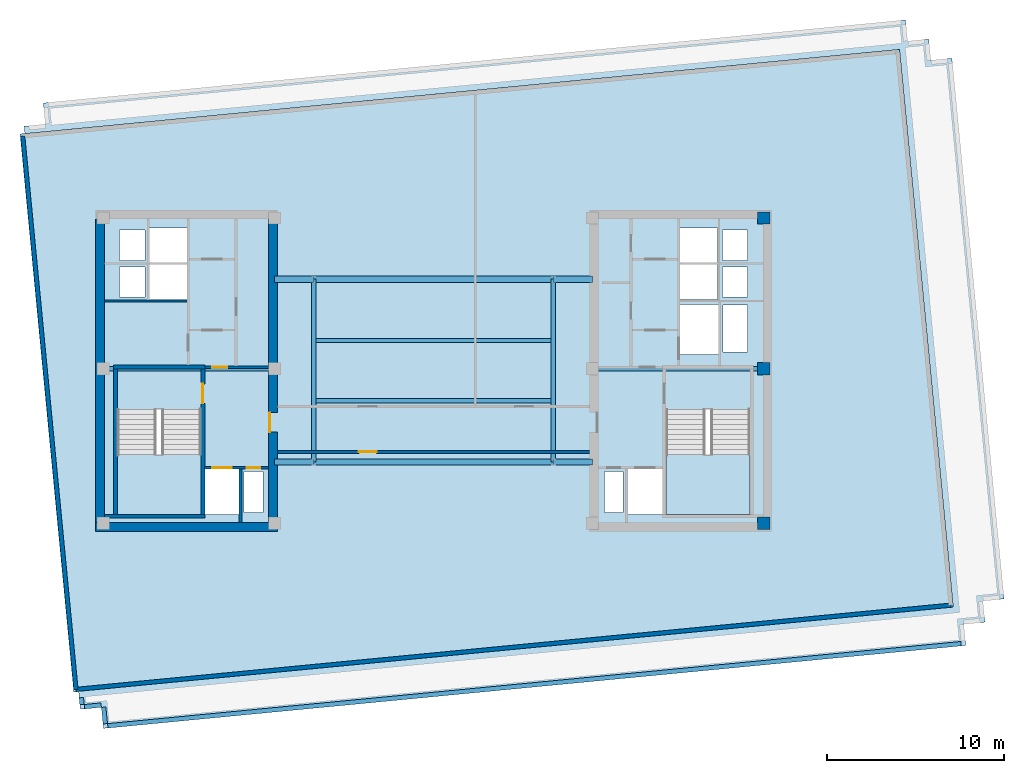
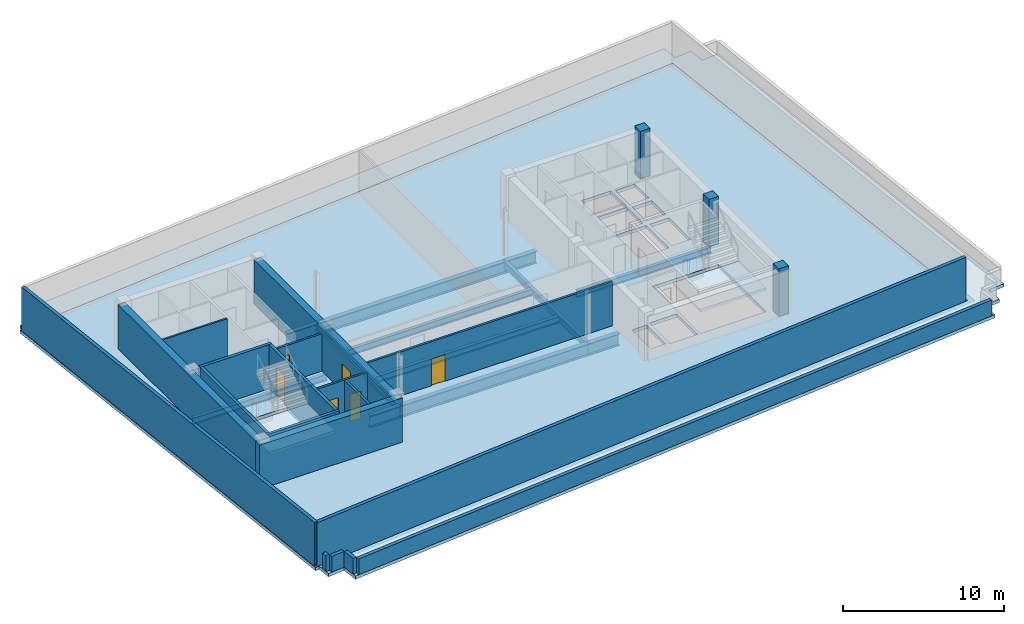
# One storey, part 2 of 8: 18 walls, 12 beams, 6 doors, 4 slabs, 3 columns, 6 openings, 2 elements without a shape of their own.
"""IFC4 building model written with IfcOpenShell, lengths in metres."""

from ifc_helpers import new_model, si_unit, direction, frame, frame_2d, origin, origin_2d, place, context, subcontext, project, spatial, polyline, rectangle, i_section, outline, extrude, material, layer, layer_set, material_profile, profile_set, type_object, element, fill, aggregate, save


model = new_model("IFC4")

# Units and contexts
model_context = context("Model", 3, precision=1e-05, world=origin(), true_north=direction((0.0, 1.0)))
body_context = subcontext(model_context, "Body", "Model", "MODEL_VIEW")
ifc_project = project(units=[si_unit("LENGTHUNIT", "METRE"), si_unit("AREAUNIT", "SQUARE_METRE"), si_unit("VOLUMEUNIT", "CUBIC_METRE"), si_unit("PLANEANGLEUNIT", "RADIAN"), si_unit("MASSUNIT", "GRAM", prefix="KILO")], contexts=[model_context])

# Site, building, storey
site_placement = place(None, origin())
site = spatial("IfcSite", under=ifc_project, at=site_placement, CompositionType="ELEMENT")
building_placement = place(site_placement, origin())
building = spatial("IfcBuilding", under=site, at=building_placement, Name="Velakula Bourse", CompositionType="ELEMENT")
storey_placement = place(building_placement, frame((0.0, 0.0, 286.949951171875)))
storey = spatial("IfcBuildingStorey", under=building, at=storey_placement, Name="L78", CompositionType="ELEMENT", Elevation=286.949951171875)

# Columns
ifc_material_1 = material(Name="Concrete M50 (fck 50 MPa)", Category="concrete")
ifc_material_profile_1 = material_profile(ifc_material_1, rectangle(XDim=0.699951171875, YDim=0.699951171875, at=origin_2d()), Name="Concrete M50 (fck 50 MPa)")
ifc_profile_set_1 = profile_set([ifc_material_profile_1], Name="Concrete M50 (fck 50 MPa)")
column_type = type_object("IfcColumnType", Name="COL-RC-700", PredefinedType="COLUMN", material=ifc_profile_set_1)
for number, where, z_axis, x_axis, name in (
    (1, (18.60009765625, -8.60009765625, 0.0), (0.0, 0.0, 1.0), (1.0, 0.0, 0.0), "L78 Core Boundary Column 10"),
    (2, (18.60009765625, 0.10009765625, 0.0), (0.0, 0.0, 1.0), (1.0, 0.0, 0.0), "L78 Core Boundary Column 11"),
    (3, (18.60009765625, 8.60009765625, 0.0), (0.0, 0.0, 1.0), (1.0, 0.0, 0.0), "L78 Core Boundary Column 12"),
):
    element("IfcColumn", number, at=place(storey_placement, frame(where, z_axis=z_axis, x_axis=x_axis)), inside=storey, type_object=column_type, Name=name, PredefinedType="COLUMN", context=body_context, shape_type="SweptSolid", body=[
        extrude(rectangle(XDim=0.699951171875, YDim=0.699951171875, at=origin_2d()), origin(), (0.0, 0.0, 1.0), 3.60009765625),
    ])

# Beams
ifc_material_2 = material(Name="Steel IS 2062 Grade 350 (E350)", Category="steel")
ifc_material_profile_2 = material_profile(ifc_material_2, i_section(OverallWidth=0.25, OverallDepth=0.5, WebThickness=0.010009765625, FlangeThickness=0.0146484375, at=origin_2d()), Name="Steel IS 2062 Grade 350 (E350)")
ifc_profile_set_2 = profile_set([ifc_material_profile_2], Name="Steel IS 2062 Grade 350 (E350)")
beam_type_1 = type_object("IfcBeamType", Name="BM-EDG-500", PredefinedType="BEAM", material=ifc_profile_set_2)
for number, where, z_axis, x_axis, name in (
    (4, (-18.60009765625, 0.10009765625, -0.5), (1.0, 0.0, 0.0), (0.0, 1.0, 0.0), "L78 Primary Backbone Girder CRW-M"),
    (5, (8.949951171875, 0.10009765625, -0.5), (1.0, 0.0, 0.0), (0.0, 1.0, 0.0), "L78 Primary Backbone Girder CRE-M"),
):
    element("IfcBeam", number, at=place(storey_placement, frame(where, z_axis=z_axis, x_axis=x_axis)), inside=storey, type_object=beam_type_1, Name=name, PredefinedType="BEAM", context=body_context, shape_type="SweptSolid", body=[
        extrude(i_section(OverallWidth=0.25, OverallDepth=0.5, WebThickness=0.010009765625, FlangeThickness=0.0146484375, at=origin_2d()), origin(), (0.0, 0.0, 1.0), 9.650146484375),
    ])
for number, where, z_axis, x_axis, name in (
    (6, (-6.75, -5.14990234375, -0.5), (0.0, 1.0, 0.0), (-1.0, 0.0, 0.0), "L78 Primary Backbone Girder SPN-W"),
    (7, (6.75, -5.14990234375, -0.5), (0.0, 1.0, 0.0), (-1.0, 0.0, 0.0), "L78 Primary Backbone Girder SPN-E"),
):
    element("IfcBeam", number, at=place(storey_placement, frame(where, z_axis=z_axis, x_axis=x_axis)), inside=storey, type_object=beam_type_1, Name=name, PredefinedType="BEAM", context=body_context, shape_type="SweptSolid", body=[
        extrude(i_section(OverallWidth=0.25, OverallDepth=0.5, WebThickness=0.010009765625, FlangeThickness=0.0146484375, at=origin_2d()), origin(), (0.0, 0.0, 1.0), 10.2998046875),
    ])
for number, where, z_axis, x_axis, name in (
    (8, (-6.75, -1.699951171875, -0.5), (1.0, 0.0, 0.0), (0.0, 1.0, 0.0), "L78 Crown Mechanical Floor Girder 1"),
    (9, (-6.75, 1.699951171875, -0.5), (1.0, 0.0, 0.0), (0.0, 1.0, 0.0), "L78 Crown Mechanical Floor Girder 2"),
):
    element("IfcBeam", number, at=place(storey_placement, frame(where, z_axis=z_axis, x_axis=x_axis)), inside=storey, type_object=beam_type_1, Name=name, PredefinedType="BEAM", context=body_context, shape_type="SweptSolid", body=[
        extrude(i_section(OverallWidth=0.25, OverallDepth=0.5, WebThickness=0.010009765625, FlangeThickness=0.0146484375, at=origin_2d()), origin(), (0.0, 0.0, 1.0), 13.5),
    ])
ifc_material_profile_3 = material_profile(ifc_material_2, i_section(OverallWidth=0.35009765625, OverallDepth=0.89990234375, WebThickness=0.02001953125, FlangeThickness=0.031982421875, at=origin_2d()), Name="Steel IS 2062 Grade 350 (E350)")
ifc_profile_set_3 = profile_set([ifc_material_profile_3], Name="Steel IS 2062 Grade 350 (E350)")
beam_type_2 = type_object("IfcBeamType", Name="BM-LNK-900", PredefinedType="BEAM", material=ifc_profile_set_3)
beam_1_placement = place(storey_placement, frame((-8.949951171875, -5.14990234375, -0.699951171875), z_axis=(1.0, 0.0, 0.0), x_axis=(0.0, 1.0, 0.0)))
element("IfcBeam", 10, at=beam_1_placement, inside=storey, type_object=beam_type_2, Name="L78 Primary Backbone Girder LNK-S1", PredefinedType="BEAM", context=body_context, shape_type="SweptSolid", body=[
    extrude(i_section(OverallWidth=0.35009765625, OverallDepth=0.89990234375, WebThickness=0.02001953125, FlangeThickness=0.031982421875, at=origin_2d()), origin(), (0.0, 0.0, 1.0), 2.199951171875),
])
beam_2_placement = place(storey_placement, frame((-6.75, -5.14990234375, -0.699951171875), z_axis=(1.0, 0.0, 0.0), x_axis=(0.0, 1.0, 0.0)))
element("IfcBeam", 11, at=beam_2_placement, inside=storey, type_object=beam_type_2, Name="L78 Primary Backbone Girder LNK-S2", PredefinedType="BEAM", context=body_context, shape_type="SweptSolid", body=[
    extrude(i_section(OverallWidth=0.35009765625, OverallDepth=0.89990234375, WebThickness=0.02001953125, FlangeThickness=0.031982421875, at=origin_2d()), origin(), (0.0, 0.0, 1.0), 13.5),
])
for number, where, z_axis, x_axis, name in (
    (12, (6.75, -5.14990234375, -0.699951171875), (1.0, 0.0, 0.0), (0.0, 1.0, 0.0), "L78 Primary Backbone Girder LNK-S3"),
    (13, (-8.949951171875, 5.14990234375, -0.699951171875), (1.0, 0.0, 0.0), (0.0, 1.0, 0.0), "L78 Primary Backbone Girder LNK-N1"),
):
    element("IfcBeam", number, at=place(storey_placement, frame(where, z_axis=z_axis, x_axis=x_axis)), inside=storey, type_object=beam_type_2, Name=name, PredefinedType="BEAM", context=body_context, shape_type="SweptSolid", body=[
        extrude(i_section(OverallWidth=0.35009765625, OverallDepth=0.89990234375, WebThickness=0.02001953125, FlangeThickness=0.031982421875, at=origin_2d()), origin(), (0.0, 0.0, 1.0), 2.199951171875),
    ])
beam_3_placement = place(storey_placement, frame((-6.75, 5.14990234375, -0.699951171875), z_axis=(1.0, 0.0, 0.0), x_axis=(0.0, 1.0, 0.0)))
element("IfcBeam", 14, at=beam_3_placement, inside=storey, type_object=beam_type_2, Name="L78 Primary Backbone Girder LNK-N2", PredefinedType="BEAM", context=body_context, shape_type="SweptSolid", body=[
    extrude(i_section(OverallWidth=0.35009765625, OverallDepth=0.89990234375, WebThickness=0.02001953125, FlangeThickness=0.031982421875, at=origin_2d()), origin(), (0.0, 0.0, 1.0), 13.5),
])
beam_4_placement = place(storey_placement, frame((6.75, 5.14990234375, -0.699951171875), z_axis=(1.0, 0.0, 0.0), x_axis=(0.0, 1.0, 0.0)))
element("IfcBeam", 15, at=beam_4_placement, inside=storey, type_object=beam_type_2, Name="L78 Primary Backbone Girder LNK-N3", PredefinedType="BEAM", context=body_context, shape_type="SweptSolid", body=[
    extrude(i_section(OverallWidth=0.35009765625, OverallDepth=0.89990234375, WebThickness=0.02001953125, FlangeThickness=0.031982421875, at=origin_2d()), origin(), (0.0, 0.0, 1.0), 2.199951171875),
])

# Slab
ifc_layer_1 = layer(ifc_material_1, 0.25, Name="Concrete M50 (fck 50 MPa)", Category="concrete")
ifc_layer_set_1 = layer_set([ifc_layer_1], Name="Concrete M50 (fck 50 MPa)")
slab_type_1 = type_object("IfcSlabType", Name="SLB-POD-250", PredefinedType="FLOOR", material=ifc_layer_set_1)
slab_1_placement = place(storey_placement, frame((0.0, 0.0, -0.25)))
element("IfcSlab", 16, at=slab_1_placement, inside=storey, type_object=slab_type_1, Name="L78 Suspended Structural Floor Slab", PredefinedType="FLOOR", context=body_context, shape_type="SweptSolid", body=[
    extrude(outline(polyline([(-20.27099609375, -18.11376953125), (29.2998046875, -13.3408203125), (26.27099609375, 18.11376953125), (-23.2998046875, 13.3408203125), (-20.27099609375, -18.11376953125)]), holes=[polyline([(-17.820068359375, -8.10009765625), (-13.10009765625, -8.10009765625), (-13.10009765625, -2.199951171875), (-17.820068359375, -2.199951171875), (-17.820068359375, -8.10009765625)]), polyline([(13.10009765625, -8.10009765625), (17.820068359375, -8.10009765625), (17.820068359375, -2.199951171875), (13.10009765625, -2.199951171875), (13.10009765625, -8.10009765625)]), polyline([(-12.89990234375, -8.10009765625), (-10.949951171875, -8.10009765625), (-10.949951171875, -5.550048828125), (-12.89990234375, -5.550048828125), (-12.89990234375, -8.10009765625)]), polyline([(10.949951171875, -8.10009765625), (12.89990234375, -8.10009765625), (12.89990234375, -5.550048828125), (10.949951171875, -5.550048828125), (10.949951171875, -8.10009765625)]), polyline([(13.89990234375, 0.919921875), (16.050048828125, 0.919921875), (16.050048828125, 3.719970703125), (13.89990234375, 3.719970703125), (13.89990234375, 0.919921875)]), polyline([(-10.679931640625, -7.97998046875), (-9.6201171875, -7.97998046875), (-9.6201171875, -5.669921875), (-10.679931640625, -5.669921875), (-10.679931640625, -7.97998046875)]), polyline([(-17.679931640625, 4.139892578125), (-16.27001953125, 4.139892578125), (-16.27001953125, 5.85009765625), (-17.679931640625, 5.85009765625), (-17.679931640625, 4.139892578125)]), polyline([(-17.679931640625, 6.2099609375), (-16.27001953125, 6.2099609375), (-16.27001953125, 7.919921875), (-17.679931640625, 7.919921875), (-17.679931640625, 6.2099609375)]), polyline([(9.6201171875, -7.97998046875), (10.679931640625, -7.97998046875), (10.679931640625, -5.669921875), (9.6201171875, -5.669921875), (9.6201171875, -7.97998046875)]), polyline([(16.27001953125, 4.139892578125), (17.679931640625, 4.139892578125), (17.679931640625, 5.85009765625), (16.27001953125, 5.85009765625), (16.27001953125, 4.139892578125)]), polyline([(16.27001953125, 6.2099609375), (17.679931640625, 6.2099609375), (17.679931640625, 7.919921875), (16.27001953125, 7.919921875), (16.27001953125, 6.2099609375)]), polyline([(16.320068359375, 1.0400390625), (17.679931640625, 1.0400390625), (17.679931640625, 3.699951171875), (16.320068359375, 3.699951171875), (16.320068359375, 1.0400390625)]), polyline([(-16.0, 4.02001953125), (-13.89990234375, 4.02001953125), (-13.89990234375, 5.969970703125), (-16.0, 5.969970703125), (-16.0, 4.02001953125)]), polyline([(-16.0, 6.090087890625), (-13.89990234375, 6.090087890625), (-13.89990234375, 8.0400390625), (-16.0, 8.0400390625), (-16.0, 6.090087890625)]), polyline([(13.89990234375, 4.02001953125), (16.0, 4.02001953125), (16.0, 5.969970703125), (13.89990234375, 5.969970703125), (13.89990234375, 4.02001953125)]), polyline([(13.89990234375, 6.090087890625), (16.0, 6.090087890625), (16.0, 8.0400390625), (13.89990234375, 8.0400390625), (13.89990234375, 6.090087890625)])]), origin(), (0.0, 0.0, 1.0), 0.25),
])

# Stair, slab
ifc_material_3 = material(Name="Concrete M45 (fck 45 MPa)", Category="concrete")
stair_type = type_object("IfcStairType", Name="STR-DOG-390", PredefinedType="HALF_TURN_STAIR", material=ifc_material_3)
stair_1_placement = place(storey_placement, origin())
stair_1 = element("IfcStair", 17, at=stair_1_placement, inside=storey, type_object=stair_type, Name="L78 West Core Exit Stair ST-W1", PredefinedType="HALF_TURN_STAIR")
ifc_layer_2 = layer(ifc_material_3, 0.199951171875, Name="Concrete M45 (fck 45 MPa)", Category="concrete")
ifc_layer_set_2 = layer_set([ifc_layer_2], Name="Concrete M45 (fck 45 MPa)")
slab_type_2 = type_object("IfcSlabType", Name="SLB-STAIR-LND-200", PredefinedType="LANDING", material=ifc_layer_set_2)
slab_2_placement = place(storey_placement, frame((0.0, 0.0, 1.60009765625)))
slab_2 = element("IfcSlab", 18, at=slab_2_placement, type_object=slab_type_2, Name="ST-W1 landing 1", PredefinedType="LANDING", context=body_context, shape_type="SweptSolid", body=[
    extrude(outline(polyline([(-17.820068359375, -4.719970703125), (-17.820068359375, -8.10009765625), (-13.10009765625, -8.10009765625), (-13.10009765625, -4.719970703125), (-17.820068359375, -4.719970703125)])), origin(), (0.0, 0.0, 1.0), 0.199951171875),
])
aggregate(stair_1, [slab_2])

stair_2_placement = place(storey_placement, origin())
stair_2 = element("IfcStair", 19, at=stair_2_placement, inside=storey, type_object=stair_type, Name="L78 East Core Exit Stair ST-E1", PredefinedType="HALF_TURN_STAIR")
slab_3_placement = place(storey_placement, frame((0.0, 0.0, 1.60009765625)))
slab_3 = element("IfcSlab", 20, at=slab_3_placement, type_object=slab_type_2, Name="ST-E1 landing 1", PredefinedType="LANDING", context=body_context, shape_type="SweptSolid", body=[
    extrude(outline(polyline([(13.10009765625, -4.719970703125), (13.10009765625, -8.10009765625), (17.820068359375, -8.10009765625), (17.820068359375, -4.719970703125), (13.10009765625, -4.719970703125)])), origin(), (0.0, 0.0, 1.0), 0.199951171875),
])
aggregate(stair_2, [slab_3])

# Slab
ifc_layer_3 = layer(ifc_material_1, 0.25, Name="Concrete M50 (fck 50 MPa)", Category="concrete")
ifc_layer_set_3 = layer_set([ifc_layer_3], Name="Concrete M50 (fck 50 MPa)")
slab_type_3 = type_object("IfcSlabType", Name="SLB-STEP-ROOF-250", PredefinedType="ROOF", material=ifc_layer_set_3)
slab_4_placement = place(storey_placement, frame((0.0, 0.0, -0.25)))
element("IfcSlab", 21, at=slab_4_placement, inside=storey, type_object=slab_type_3, Name="L78 Crown Step 1 Closed Roof", PredefinedType="ROOF", context=body_context, shape_type="SweptSolid", body=[
    extrude(outline(polyline([(-23.063720703125, 13.7705078125), (-21.869140625, 13.885498046875), (-21.984130859375, 15.079833984375), (26.59130859375, 19.757080078125), (26.706298828125, 18.562744140625), (27.900634765625, 18.677734375), (28.015625, 17.483154296875), (29.210205078125, 17.59814453125), (32.14306640625, -12.86083984375), (30.948486328125, -12.975830078125), (31.063720703125, -14.17041015625), (29.869140625, -14.285400390625), (29.984130859375, -15.47998046875), (-18.59130859375, -20.156982421875), (-18.706298828125, -18.962646484375), (-19.900634765625, -19.07763671875), (-19.998046875, -18.0673828125), (29.27783203125, -13.32275390625), (26.2529296875, 18.092041015625), (-23.02294921875, 13.347412109375), (-23.063720703125, 13.7705078125)])), origin(), (0.0, 0.0, 1.0), 0.25),
])

# Wall, opening, door
ifc_layer_4 = layer(ifc_material_1, 0.2099609375, Name="Concrete M50 (fck 50 MPa)", Category="concrete")
ifc_layer_set_4 = layer_set([ifc_layer_4], Name="Concrete M50 (fck 50 MPa)")
wall_type_1 = type_object("IfcWallType", Name="WL-CORE-210", PredefinedType="SHEAR", material=ifc_layer_set_4)
wall_1_placement = place(storey_placement, frame((-12.9951171875, -8.10009765625, 0.0), z_axis=(0.0, 0.0, 1.0), x_axis=(0.0, 1.0, 0.0)))
wall_1 = element("IfcWall", 22, at=wall_1_placement, inside=storey, type_object=wall_type_1, Name="L78 Core W Stairwell Shear Wall IN", PredefinedType="SHEAR", context=body_context, shape_type="SweptSolid", body=[
    extrude(rectangle(XDim=8.2001953125, YDim=0.2099609375, at=frame_2d((4.10009765625, 0.0))), origin(), (0.0, 0.0, 1.0), 3.35009765625),
])
opening_1_placement = place(wall_1_placement, frame((6.25, 0.0, 0.0)))
opening_1 = element("IfcOpeningElement", 23, at=opening_1_placement, cuts=wall_1, Name="Opening D-STW1", PredefinedType="OPENING", context=body_context, shape_type="SweptSolid", body=[
    extrude(rectangle(XDim=1.10009765625, YDim=2.14990234375, at=frame_2d((0.550048828125, 1.074951171875))), frame((0.0, 0.114990234375, 0.0), z_axis=(0.0, -1.0, 0.0), x_axis=(1.0, 0.0, 0.0)), (0.0, 0.0, 1.0), 0.22998046875),
])
ifc_material_4 = material(Name="Galvanised painted hollow steel fire door", Category="steel")
door_type_1 = type_object("IfcDoorType", Name="DR-FD120-1100x2150", OperationType="NOTDEFINED", PredefinedType="DOOR", material=ifc_material_4)
door_1_placement = place(opening_1_placement, origin())
door_1 = element("IfcDoor", 24, at=door_1_placement, inside=storey, type_object=door_type_1, Name="L78 Stair ST-W1 Fire Door", OperationType="SINGLE_SWING_LEFT", OverallHeight=2.14990234375, OverallWidth=1.10009765625, PredefinedType="DOOR", context=body_context, shape_type="SweptSolid", body=[
    extrude(rectangle(XDim=1.10009765625, YDim=2.14990234375, at=frame_2d((0.550048828125, 1.074951171875))), frame((0.0, 0.02490234375, 0.0), z_axis=(0.0, -1.0, 0.0), x_axis=(1.0, 0.0, 0.0)), (0.0, 0.0, 1.0), 0.050048828125),
])
fill(opening_1, door_1)

# Walls
wall_2_placement = place(storey_placement, frame((-17.925048828125, -8.10009765625, 0.0), z_axis=(0.0, 0.0, 1.0), x_axis=(0.0, 1.0, 0.0)))
element("IfcWall", 25, at=wall_2_placement, inside=storey, type_object=wall_type_1, Name="L78 Core W Stairwell Shear Wall OUT", PredefinedType="SHEAR", context=body_context, shape_type="SweptSolid", body=[
    extrude(rectangle(XDim=8.2001953125, YDim=0.2099609375, at=frame_2d((4.10009765625, 0.0))), origin(), (0.0, 0.0, 1.0), 3.35009765625),
])
wall_3_placement = place(storey_placement, frame((-18.550048828125, -8.205078125, 0.0), z_axis=(0.0, 0.0, 1.0), x_axis=(1.0, 0.0, 0.0)))
element("IfcWall", 26, at=wall_3_placement, inside=storey, type_object=wall_type_1, Name="L78 Core W Stairwell Shear Wall S", PredefinedType="SHEAR", context=body_context, shape_type="SweptSolid", body=[
    extrude(rectangle(XDim=5.66015625, YDim=0.2099609375, at=frame_2d((2.830078125, 0.0))), origin(), (0.0, 0.0, 1.0), 3.35009765625),
])
wall_4_placement = place(storey_placement, frame((-12.889892578125, 0.205078125, 0.0), z_axis=(0.0, 0.0, 1.0), x_axis=(-1.0, 0.0, 0.0)))
element("IfcWall", 27, at=wall_4_placement, inside=storey, type_object=wall_type_1, Name="L78 Core W Stairwell Shear Wall N", PredefinedType="SHEAR", context=body_context, shape_type="SweptSolid", body=[
    extrude(rectangle(XDim=5.14013671875, YDim=0.2099609375, at=frame_2d((2.570068359375, 0.0))), origin(), (0.0, 0.0, 1.0), 3.35009765625),
])
ifc_layer_5 = layer(ifc_material_1, 0.5, Name="Concrete M50 (fck 50 MPa)", Category="concrete")
ifc_layer_set_5 = layer_set([ifc_layer_5], Name="Concrete M50 (fck 50 MPa)")
wall_type_2 = type_object("IfcWallType", Name="WL-CORE-500", PredefinedType="SHEAR", material=ifc_layer_set_5)
wall_5_placement = place(storey_placement, frame((-19.050048828125, -8.800048828125, 0.0), z_axis=(0.0, 0.0, 1.0), x_axis=(1.0, 0.0, 0.0)))
element("IfcWall", 28, at=wall_5_placement, inside=storey, type_object=wall_type_2, Name="L78 Core W Shear Wall S", PredefinedType="SHEAR", context=body_context, shape_type="SweptSolid", body=[
    extrude(rectangle(XDim=10.25, YDim=0.5, at=frame_2d((5.125, 0.0))), origin(), (0.0, 0.0, 1.0), 3.35009765625),
])
wall_6_placement = place(storey_placement, frame((-18.800048828125, -8.550048828125, 0.0), z_axis=(0.0, 0.0, 1.0), x_axis=(0.0, 1.0, 0.0)))
element("IfcWall", 29, at=wall_6_placement, inside=storey, type_object=wall_type_2, Name="L78 Core W Shear Wall W", PredefinedType="SHEAR", context=body_context, shape_type="SweptSolid", body=[
    extrude(rectangle(XDim=17.10009765625, YDim=0.5, at=frame_2d((8.550048828125, 0.0))), origin(), (0.0, 0.0, 1.0), 3.35009765625),
])

# Wall, opening, door
wall_7_placement = place(storey_placement, frame((-9.050048828125, -8.550048828125, 0.0), z_axis=(0.0, 0.0, 1.0), x_axis=(0.0, 1.0, 0.0)))
wall_7 = element("IfcWall", 30, at=wall_7_placement, inside=storey, type_object=wall_type_2, Name="L78 Core W Shear Wall E", PredefinedType="SHEAR", context=body_context, shape_type="SweptSolid", body=[
    extrude(rectangle(XDim=17.10009765625, YDim=0.5, at=frame_2d((8.550048828125, 0.0))), origin(), (0.0, 0.0, 1.0), 3.35009765625),
])
opening_2_placement = place(wall_7_placement, frame((5.080078125, 0.0, 0.0)))
opening_2 = element("IfcOpeningElement", 31, at=opening_2_placement, cuts=wall_7, Name="Opening D-FLW", PredefinedType="OPENING", context=body_context, shape_type="SweptSolid", body=[
    extrude(rectangle(XDim=1.10009765625, YDim=2.080078125, at=frame_2d((0.550048828125, 1.0400390625))), frame((0.0, 0.260009765625, 0.0), z_axis=(0.0, -1.0, 0.0), x_axis=(1.0, 0.0, 0.0)), (0.0, 0.0, 1.0), 0.52001953125),
])
door_type_2 = type_object("IfcDoorType", Name="DR-FD120-1100", OperationType="NOTDEFINED", PredefinedType="DOOR", material=ifc_material_4)
door_2_placement = place(opening_2_placement, origin())
door_2 = element("IfcDoor", 32, at=door_2_placement, inside=storey, type_object=door_type_2, Name="L78 Firefighting Lobby W Corridor Fire Door", OperationType="SINGLE_SWING_LEFT", OverallHeight=2.080078125, OverallWidth=1.10009765625, PredefinedType="DOOR", context=body_context, shape_type="SweptSolid", body=[
    extrude(rectangle(XDim=1.10009765625, YDim=2.080078125, at=frame_2d((0.550048828125, 1.0400390625))), frame((0.0, 0.205078125, 0.0), z_axis=(0.0, -1.0, 0.0), x_axis=(1.0, 0.0, 0.0)), (0.0, 0.0, 1.0), 0.050048828125),
])
fill(opening_2, door_2)

# Walls
ifc_material_5 = material(Name="Buff kilned clay facing brick masonry", Category="masonry")
ifc_layer_6 = layer(ifc_material_5, 0.239990234375, Name="Buff kilned clay facing brick masonry", Category="masonry")
ifc_layer_set_6 = layer_set([ifc_layer_6], Name="Buff kilned clay facing brick masonry")
wall_type_3 = type_object("IfcWallType", Name="WL-EXT-CRN-240", PredefinedType="STANDARD", material=ifc_layer_set_6)
wall_8_placement = place(storey_placement, frame((-20.14501953125, -17.9609375, 0.0), z_axis=(0.0, 0.0, 1.0), x_axis=(0.995396555283, 0.095842045739, 0.0)))
element("IfcWall", 33, at=wall_8_placement, inside=storey, type_object=wall_type_3, Name="L78 Crown Brick Acoustic Wall S", PredefinedType="STANDARD", context=body_context, shape_type="SweptSolid", body=[
    extrude(rectangle(XDim=49.52001953125, YDim=0.239990234375, at=frame_2d((24.760009765625, 0.0))), origin(), (0.0, 0.0, 1.0), 3.330078125),
])
wall_9_placement = place(storey_placement, frame((-23.14697265625, 13.21484375, 0.0), z_axis=(0.0, 0.0, 1.0), x_axis=(0.095847866435, -0.995395994818, 0.0)))
element("IfcWall", 34, at=wall_9_placement, inside=storey, type_object=wall_type_3, Name="L78 Crown Brick Acoustic Wall W", PredefinedType="STANDARD", context=body_context, shape_type="SweptSolid", body=[
    extrude(rectangle(XDim=31.320068359375, YDim=0.239990234375, at=frame_2d((15.66015625, 0.0))), origin(), (0.0, 0.0, 1.0), 3.330078125),
])
ifc_layer_7 = layer(ifc_material_5, 0.25, Name="Buff kilned clay facing brick masonry", Category="masonry")
ifc_layer_set_7 = layer_set([ifc_layer_7], Name="Buff kilned clay facing brick masonry")
wall_type_4 = type_object("IfcWallType", Name="WL-PAR-ROOF-250", PredefinedType="PARAPET", material=ifc_layer_set_7)
wall_10_placement = place(storey_placement, frame((29.723876953125, -15.384521484375, 0.0), z_axis=(0.0, 0.0, 1.0), x_axis=(-0.995396638828, -0.095841178045, 0.0)))
element("IfcWall", 35, at=wall_10_placement, inside=storey, type_object=wall_type_4, Name="L78 Closed Roof Perimeter Parapet 13", PredefinedType="PARAPET", context=body_context, shape_type="SweptSolid", body=[
    extrude(rectangle(XDim=48.30029296875, YDim=0.25, at=frame_2d((24.150146484375, 0.0))), origin(), (0.0, 0.0, 1.0), 1.199951171875),
])
for number, where, z_axis, x_axis, name in (
    (36, (-18.49560546875, -19.896728515625, 0.0), (0.0, 0.0, 1.0), (-0.095850994504, 0.995395693608, 0.0), "L78 Closed Roof Perimeter Parapet 14"),
    (37, (-18.727783203125, -18.84423828125, 0.0), (0.0, 0.0, 1.0), (-0.995395693608, -0.095850994504, 0.0), "L78 Closed Roof Perimeter Parapet 15"),
):
    element("IfcWall", number, at=place(storey_placement, frame(where, z_axis=z_axis, x_axis=x_axis)), inside=storey, type_object=wall_type_4, Name=name, PredefinedType="PARAPET", context=body_context, shape_type="SweptSolid", body=[
        extrude(rectangle(XDim=0.93994140625, YDim=0.25, at=frame_2d((0.469970703125, 0.0))), origin(), (0.0, 0.0, 1.0), 1.199951171875),
    ])
wall_11_placement = place(storey_placement, frame((-19.80517578125, -18.8173828125, 0.0), z_axis=(0.0, 0.0, 1.0), x_axis=(-0.095830212829, 0.995397694547, 0.0)))
element("IfcWall", 38, at=wall_11_placement, inside=storey, type_object=wall_type_4, Name="L78 Closed Roof Perimeter Parapet 16", PredefinedType="PARAPET", context=body_context, shape_type="SweptSolid", body=[
    extrude(rectangle(XDim=0.394775390625, YDim=0.25, at=frame_2d((0.197265625, 0.0))), origin(), (0.0, 0.0, 1.0), 1.199951171875),
])
ifc_material_6 = material(Name="Fire-rated double-layer gypsum drywall partition", Category="gypsum")
ifc_layer_8 = layer(ifc_material_6, 0.1201171875, Name="Fire-rated double-layer gypsum drywall partition", Category="gypsum")
ifc_layer_set_8 = layer_set([ifc_layer_8], Name="Fire-rated double-layer gypsum drywall partition")
wall_type_5 = type_object("IfcWallType", Name="WL-PART-120", PredefinedType="STANDARD", material=ifc_layer_set_8)
wall_12_placement = place(storey_placement, frame((-18.550048828125, 3.919921875, 0.0), z_axis=(0.0, 0.0, 1.0), x_axis=(1.0, 0.0, 0.0)))
element("IfcWall", 39, at=wall_12_placement, inside=storey, type_object=wall_type_5, Name="L78 Interior Partition WL-CRW-L78-HI-S", PredefinedType="STANDARD", context=body_context, shape_type="SweptSolid", body=[
    extrude(rectangle(XDim=4.650146484375, YDim=0.1201171875, at=frame_2d((2.3251953125, 0.0))), origin(), (0.0, 0.0, 1.0), 3.330078125),
])

# Wall, openings, doors
ifc_material_7 = material(Name="Autoclaved aerated concrete blockwork masonry", Category="masonry")
ifc_layer_9 = layer(ifc_material_7, 0.14990234375, Name="Autoclaved aerated concrete blockwork masonry", Category="masonry")
ifc_layer_set_9 = layer_set([ifc_layer_9], Name="Autoclaved aerated concrete blockwork masonry")
wall_type_6 = type_object("IfcWallType", Name="WL-SHAFT-150", PredefinedType="STANDARD", material=ifc_layer_set_9)
wall_13_placement = place(storey_placement, frame((-12.89501953125, -5.47509765625, 0.0), z_axis=(0.0, 0.0, 1.0), x_axis=(1.0, 0.0, 0.0)))
wall_13 = element("IfcWall", 40, at=wall_13_placement, inside=storey, type_object=wall_type_6, Name="L78 Interior Partition WL-CRW-L78-FFL-N", PredefinedType="STANDARD", context=body_context, shape_type="SweptSolid", body=[
    extrude(rectangle(XDim=3.594970703125, YDim=0.14990234375, at=frame_2d((1.79736328125, 0.0))), origin(), (0.0, 0.0, 1.0), 3.330078125),
])
opening_3_placement = place(wall_13_placement, frame((0.419921875, 0.0, 0.0)))
opening_3 = element("IfcOpeningElement", 41, at=opening_3_placement, cuts=wall_13, Name="Opening LD-FFL-1", PredefinedType="OPENING", context=body_context, shape_type="SweptSolid", body=[
    extrude(rectangle(XDim=1.10009765625, YDim=2.14990234375, at=frame_2d((0.550048828125, 1.074951171875))), frame((0.0, 0.0849609375, 0.0), z_axis=(0.0, -1.0, 0.0), x_axis=(1.0, 0.0, 0.0)), (0.0, 0.0, 1.0), 0.169921875),
])
opening_4_placement = place(wall_13_placement, frame((2.3701171875, 0.0, 0.0)))
opening_4 = element("IfcOpeningElement", 42, at=opening_4_placement, cuts=wall_13, Name="Opening D-RS1", PredefinedType="OPENING", context=body_context, shape_type="SweptSolid", body=[
    extrude(rectangle(XDim=0.75, YDim=2.050048828125, at=frame_2d((0.375, 1.02490234375))), frame((0.0, 0.0849609375, 0.0), z_axis=(0.0, -1.0, 0.0), x_axis=(1.0, 0.0, 0.0)), (0.0, 0.0, 1.0), 0.169921875),
])
door_type_3 = type_object("IfcDoorType", Name="DR-RISER-800", OperationType="NOTDEFINED", PredefinedType="DOOR", material=ifc_material_4)
door_3_placement = place(opening_4_placement, origin())
door_3 = element("IfcDoor", 43, at=door_3_placement, inside=storey, type_object=door_type_3, Name="L78 Fire Riser Access Door", OperationType="SINGLE_SWING_RIGHT", OverallHeight=2.050048828125, OverallWidth=0.75, PredefinedType="DOOR", context=body_context, shape_type="SweptSolid", body=[
    extrude(rectangle(XDim=0.75, YDim=2.050048828125, at=frame_2d((0.375, 1.02490234375))), frame((0.0, 0.02490234375, 0.0), z_axis=(0.0, -1.0, 0.0), x_axis=(1.0, 0.0, 0.0)), (0.0, 0.0, 1.0), 0.050048828125),
])
fill(opening_4, door_3)
ifc_material_8 = material(Name="Brushed grade 316 stainless steel", Category="steel")
door_type_4 = type_object("IfcDoorType", Name="DR-SLIDE-FFL-1100", OperationType="DOUBLE_DOOR_SLIDING", PredefinedType="DOOR", material=ifc_material_8)
door_4_placement = place(opening_3_placement, origin())
door_4 = element("IfcDoor", 44, at=door_4_placement, inside=storey, type_object=door_type_4, Name="L78 Firefighting Lift FFL-1 Sliding Landing Door", OperationType="DOUBLE_DOOR_SLIDING", OverallHeight=2.14990234375, OverallWidth=1.10009765625, PredefinedType="DOOR", context=body_context, shape_type="SweptSolid", body=[
    extrude(rectangle(XDim=1.10009765625, YDim=2.14990234375, at=frame_2d((0.550048828125, 1.074951171875))), frame((0.0, 0.02490234375, 0.0), z_axis=(0.0, -1.0, 0.0), x_axis=(1.0, 0.0, 0.0)), (0.0, 0.0, 1.0), 0.050048828125),
])
fill(opening_3, door_4)

# Wall
wall_14_placement = place(storey_placement, frame((-10.875, -8.550048828125, 0.0), z_axis=(0.0, 0.0, 1.0), x_axis=(0.0, 1.0, 0.0)))
element("IfcWall", 45, at=wall_14_placement, inside=storey, type_object=wall_type_6, Name="L78 Interior Partition WL-CRW-L78-FR-DIV", PredefinedType="STANDARD", context=body_context, shape_type="SweptSolid", body=[
    extrude(rectangle(XDim=3.0, YDim=0.14990234375, at=frame_2d((1.5, 0.0))), origin(), (0.0, 0.0, 1.0), 3.330078125),
])

# Wall, opening, door
wall_15_placement = place(storey_placement, frame((-12.889892578125, 0.18994140625, 0.0), z_axis=(0.0, 0.0, 1.0), x_axis=(1.0, 0.0, 0.0)))
wall_15 = element("IfcWall", 46, at=wall_15_placement, inside=storey, type_object=wall_type_6, Name="L78 Interior Partition WL-CRW-L78-FF-TOP", PredefinedType="STANDARD", context=body_context, shape_type="SweptSolid", body=[
    extrude(rectangle(XDim=3.58984375, YDim=0.14990234375, at=frame_2d((1.794921875, 0.0))), origin(), (0.0, 0.0, 1.0), 2.824951171875),
])
opening_5_placement = place(wall_15_placement, frame((0.4150390625, 0.0, 0.0)))
opening_5 = element("IfcOpeningElement", 47, at=opening_5_placement, cuts=wall_15, Name="Opening D-FC1", PredefinedType="OPENING", context=body_context, shape_type="SweptSolid", body=[
    extrude(rectangle(XDim=0.85009765625, YDim=2.0400390625, at=frame_2d((0.425048828125, 1.02001953125))), frame((0.0, 0.0849609375, 0.0), z_axis=(0.0, -1.0, 0.0), x_axis=(1.0, 0.0, 0.0)), (0.0, 0.0, 1.0), 0.169921875),
])
door_type_5 = type_object("IfcDoorType", Name="DR-FD120-850", OperationType="NOTDEFINED", PredefinedType="DOOR", material=ifc_material_4)
door_5_placement = place(opening_5_placement, origin())
door_5 = element("IfcDoor", 48, at=door_5_placement, inside=storey, type_object=door_type_5, Name="L78 Firefighting Lobby Link Fire Door", OperationType="SINGLE_SWING_RIGHT", OverallHeight=2.0400390625, OverallWidth=0.85009765625, PredefinedType="DOOR", context=body_context, shape_type="SweptSolid", body=[
    extrude(rectangle(XDim=0.85009765625, YDim=2.0400390625, at=frame_2d((0.425048828125, 1.02001953125))), frame((0.0, 0.02490234375, 0.0), z_axis=(0.0, -1.0, 0.0), x_axis=(1.0, 0.0, 0.0)), (0.0, 0.0, 1.0), 0.050048828125),
])
fill(opening_5, door_5)

wall_16_placement = place(storey_placement, frame((-8.800048828125, -4.580078125, 0.0), z_axis=(0.0, 0.0, 1.0), x_axis=(1.0, 0.0, 0.0)))
wall_16 = element("IfcWall", 49, at=wall_16_placement, inside=storey, type_object=wall_type_6, Name="L78 Interior Partition WL-CRN-L78-S", PredefinedType="STANDARD", context=body_context, shape_type="SweptSolid", body=[
    extrude(rectangle(XDim=17.60009765625, YDim=0.14990234375, at=frame_2d((8.800048828125, 0.0))), origin(), (0.0, 0.0, 1.0), 3.330078125),
])
opening_6_placement = place(wall_16_placement, frame((4.60009765625, 0.0, 0.0)))
opening_6 = element("IfcOpeningElement", 50, at=opening_6_placement, cuts=wall_16, Name="Opening D-CP2", PredefinedType="OPENING", context=body_context, shape_type="SweptSolid", body=[
    extrude(rectangle(XDim=1.0, YDim=2.02001953125, at=frame_2d((0.5, 1.010009765625))), frame((0.0, 0.0849609375, 0.0), z_axis=(0.0, -1.0, 0.0), x_axis=(1.0, 0.0, 0.0)), (0.0, 0.0, 1.0), 0.169921875),
])
door_type_6 = type_object("IfcDoorType", Name="DR-FD120-1000x2020", OperationType="NOTDEFINED", PredefinedType="DOOR", material=ifc_material_4)
door_6_placement = place(opening_6_placement, origin())
door_6 = element("IfcDoor", 51, at=door_6_placement, inside=storey, type_object=door_type_6, Name="L78 Crown Electrical Switchgear Plant Room Door", OperationType="SINGLE_SWING_LEFT", OverallHeight=2.02001953125, OverallWidth=1.0, PredefinedType="DOOR", context=body_context, shape_type="SweptSolid", body=[
    extrude(rectangle(XDim=1.0, YDim=2.02001953125, at=frame_2d((0.5, 1.010009765625))), frame((0.0, 0.02490234375, 0.0), z_axis=(0.0, -1.0, 0.0), x_axis=(1.0, 0.0, 0.0)), (0.0, 0.0, 1.0), 0.050048828125),
])
fill(opening_6, door_6)

save(model, "model.ifc")
